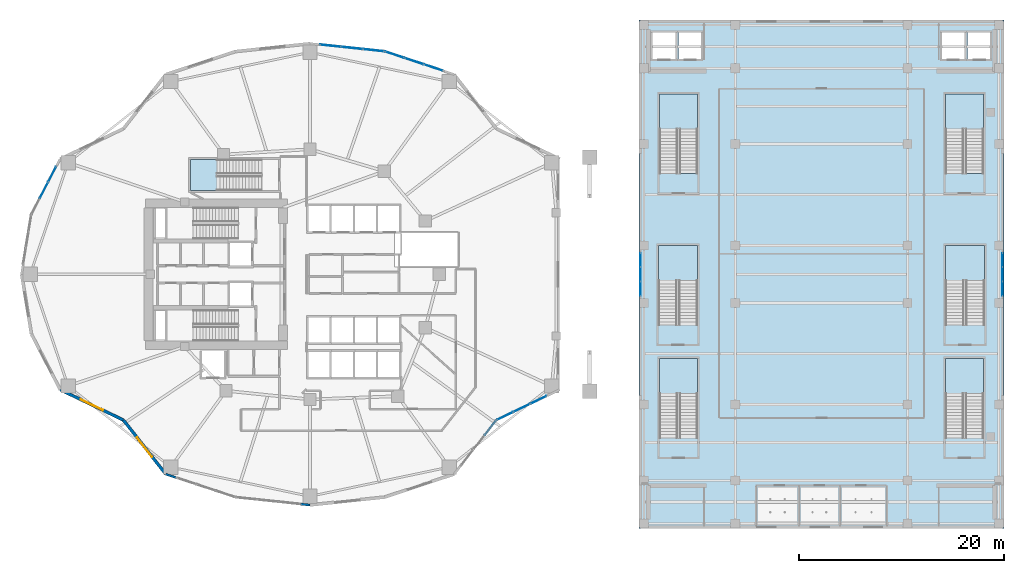
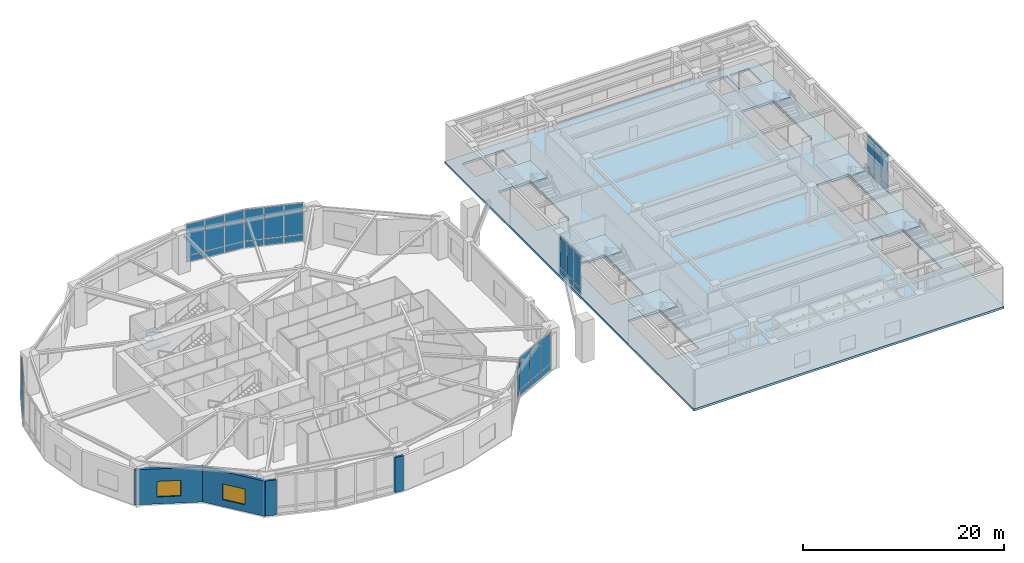
# One storey, part 10 of 21: 35 plates, 8 slabs, 4 walls, 2 windows, 2 openings, 14 elements without a shape of their own.
"""IFC4 building model written with IfcOpenShell, lengths in metres."""

from ifc_helpers import new_model, si_unit, direction, frame, frame_2d, origin, origin_2d, place, context, subcontext, project, spatial, polyline, rectangle, outline, extrude, material, layer, layer_set, type_object, element, fill, aggregate, save


model = new_model("IFC4")

# Units and contexts
model_context = context("Model", 3, precision=1e-05, world=origin(), true_north=direction((0.0, 1.0)))
body_context = subcontext(model_context, "Body", "Model", "MODEL_VIEW")
ifc_project = project(units=[si_unit("LENGTHUNIT", "METRE"), si_unit("AREAUNIT", "SQUARE_METRE"), si_unit("VOLUMEUNIT", "CUBIC_METRE"), si_unit("PLANEANGLEUNIT", "RADIAN"), si_unit("MASSUNIT", "GRAM", prefix="KILO")], contexts=[model_context])

# Site, building, storey
site_placement = place(None, origin())
site = spatial("IfcSite", under=ifc_project, at=site_placement, CompositionType="ELEMENT")
building_placement = place(site_placement, origin())
building = spatial("IfcBuilding", under=site, at=building_placement, Name="Kolvaren Gate Tower and Convention Centre", CompositionType="ELEMENT")
storey_placement = place(building_placement, frame((0.0, 0.0, 5.0)))
storey = spatial("IfcBuildingStorey", under=building, at=storey_placement, Name="L01", CompositionType="ELEMENT", Elevation=5.0)

# Curtain wall, plates
ifc_material_1 = material(Name="Anodized Architectural Aluminium Alloy 6063-T6", Category="aluminium")
ifc_layer_1 = layer(ifc_material_1, 0.179931640625)
ifc_layer_set_1 = layer_set([ifc_layer_1], Name="Anodized Architectural Aluminium Alloy 6063-T6")
curtain_wall_type_1 = type_object("IfcCurtainWallType", Name="CW-POD-GLZ", PredefinedType="NOTDEFINED", material=ifc_layer_set_1)
curtain_wall_1_placement = place(storey_placement, origin())
curtain_wall_1 = element("IfcCurtainWall", 1, at=curtain_wall_1_placement, inside=storey, type_object=curtain_wall_type_1, Name="Tower L01 Unitised Curtain Wall CW-POD-GLZ Bay 04", PredefinedType="NOTDEFINED")
ifc_material_2 = material(Name="Low-E Triple Insulated Glazing Unit 44 mm", Category="glass")
ifc_layer_2 = layer(ifc_material_2, 0.0439453125)
ifc_layer_set_2 = layer_set([ifc_layer_2], Name="Low-E Triple Insulated Glazing Unit 44 mm")
plate_type_1 = type_object("IfcPlateType", Name="CW-PL-IGU-44", PredefinedType="CURTAIN_PANEL", material=ifc_layer_set_2)
plate_1_placement = place(storey_placement, frame((38.37939453125, 48.41015625, 0.8876953125), z_axis=(0.0, 0.0, 1.0), x_axis=(0.949243688479, -0.314541602786, 0.0)))
plate_1 = element("IfcPlate", 2, at=plate_1_placement, type_object=plate_type_1, Name="CW-01 panel 1.2", PredefinedType="CURTAIN_PANEL", context=body_context, shape_type="SweptSolid", body=[
    extrude(rectangle(XDim=1.904541015625, YDim=0.0439453125, at=origin_2d()), origin(), (0.0, 0.0, 1.0), 3.777587890625),
])
plate_2_placement = place(storey_placement, frame((40.2763671875, 47.78173828125, 0.8876953125), z_axis=(0.0, 0.0, 1.0), x_axis=(0.949243688479, -0.314541602786, 0.0)))
plate_2 = element("IfcPlate", 3, at=plate_2_placement, type_object=plate_type_1, Name="CW-01 panel 2.2", PredefinedType="CURTAIN_PANEL", context=body_context, shape_type="SweptSolid", body=[
    extrude(rectangle(XDim=1.94189453125, YDim=0.0439453125, at=origin_2d()), origin(), (0.0, 0.0, 1.0), 3.777587890625),
])
plate_3_placement = place(storey_placement, frame((42.173095703125, 47.153076171875, 0.8876953125), z_axis=(0.0, 0.0, 1.0), x_axis=(0.949243688479, -0.314541602786, 0.0)))
plate_3 = element("IfcPlate", 4, at=plate_3_placement, type_object=plate_type_1, Name="CW-01 panel 3.2", PredefinedType="CURTAIN_PANEL", context=body_context, shape_type="SweptSolid", body=[
    extrude(rectangle(XDim=1.904541015625, YDim=0.0439453125, at=origin_2d()), origin(), (0.0, 0.0, 1.0), 3.777587890625),
])

curtain_wall_2_placement = place(storey_placement, origin())
curtain_wall_2 = element("IfcCurtainWall", 5, at=curtain_wall_2_placement, inside=storey, type_object=curtain_wall_type_1, Name="Tower L01 Unitised Curtain Wall CW-POD-GLZ Bay 05", PredefinedType="NOTDEFINED")
plate_4_placement = place(storey_placement, frame((32.126708984375, 49.2890625, 0.8876953125), z_axis=(0.0, 0.0, 1.0), x_axis=(0.994498762941, -0.104748319841, 0.0)))
plate_4 = element("IfcPlate", 6, at=plate_4_placement, type_object=plate_type_1, Name="CW-01 panel 1.2", PredefinedType="CURTAIN_PANEL", context=body_context, shape_type="SweptSolid", body=[
    extrude(rectangle(XDim=2.017578125, YDim=0.0439453125, at=origin_2d()), origin(), (0.0, 0.0, 1.0), 3.777587890625),
])
plate_5_placement = place(storey_placement, frame((34.2265625, 49.068115234375, 0.8876953125), z_axis=(0.0, 0.0, 1.0), x_axis=(0.994498762941, -0.104748319841, 0.0)))
plate_5 = element("IfcPlate", 7, at=plate_5_placement, type_object=plate_type_1, Name="CW-01 panel 2.2", PredefinedType="CURTAIN_PANEL", context=body_context, shape_type="SweptSolid", body=[
    extrude(rectangle(XDim=2.05517578125, YDim=0.0439453125, at=origin_2d()), origin(), (0.0, 0.0, 1.0), 3.777587890625),
])
plate_6_placement = place(storey_placement, frame((36.326416015625, 48.846923828125, 0.8876953125), z_axis=(0.0, 0.0, 1.0), x_axis=(0.994498762941, -0.104748319841, 0.0)))
plate_6 = element("IfcPlate", 8, at=plate_6_placement, type_object=plate_type_1, Name="CW-01 panel 3.2", PredefinedType="CURTAIN_PANEL", context=body_context, shape_type="SweptSolid", body=[
    extrude(rectangle(XDim=2.017578125, YDim=0.0439453125, at=origin_2d()), origin(), (0.0, 0.0, 1.0), 3.777587890625),
])

curtain_wall_3_placement = place(storey_placement, origin())
curtain_wall_3 = element("IfcCurtainWall", 9, at=curtain_wall_3_placement, inside=storey, type_object=curtain_wall_type_1, Name="Tower L01 Unitised Curtain Wall CW-POD-GLZ Bay 10", PredefinedType="NOTDEFINED")
plate_7_placement = place(storey_placement, frame((4.1787109375, 35.1806640625, 0.8876953125), z_axis=(0.0, 0.0, 1.0), x_axis=(0.459789264949, 0.888028058024, 0.0)))
plate_7 = element("IfcPlate", 10, at=plate_7_placement, type_object=plate_type_1, Name="CW-01 panel 2.2", PredefinedType="CURTAIN_PANEL", context=body_context, shape_type="SweptSolid", body=[
    extrude(rectangle(XDim=1.694580078125, YDim=0.0439453125, at=origin_2d()), origin(), (0.0, 0.0, 1.0), 3.777587890625),
])
plate_8_placement = place(storey_placement, frame((4.98388671875, 36.735595703125, 0.8876953125), z_axis=(0.0, 0.0, 1.0), x_axis=(0.459789264949, 0.888028058024, 0.0)))
plate_8 = element("IfcPlate", 11, at=plate_8_placement, type_object=plate_type_1, Name="CW-01 panel 3.2", PredefinedType="CURTAIN_PANEL", context=body_context, shape_type="SweptSolid", body=[
    extrude(rectangle(XDim=1.6572265625, YDim=0.0439453125, at=origin_2d()), origin(), (0.0, 0.0, 1.0), 3.777587890625),
])

# Curtain wall, plate
curtain_wall_4_placement = place(storey_placement, origin())
curtain_wall_4 = element("IfcCurtainWall", 12, at=curtain_wall_4_placement, inside=storey, type_object=curtain_wall_type_1, Name="Tower L01 Unitised Curtain Wall CW-POD-GLZ Bay 20", PredefinedType="NOTDEFINED")
plate_9_placement = place(storey_placement, frame((47.726318359375, 12.034912109375, 0.8876953125), z_axis=(0.0, 0.0, 1.0), x_axis=(0.616425794643, 0.787413004527, 0.0)))
plate_9 = element("IfcPlate", 13, at=plate_9_placement, type_object=plate_type_1, Name="CW-01 panel 3.2", PredefinedType="CURTAIN_PANEL", context=body_context, shape_type="SweptSolid", body=[
    extrude(rectangle(XDim=1.760986328125, YDim=0.0439453125, at=origin_2d()), origin(), (0.0, 0.0, 1.0), 3.777587890625),
])
aggregate(curtain_wall_4, [plate_9])

# Curtain wall, plates
curtain_wall_5_placement = place(storey_placement, origin())
curtain_wall_5 = element("IfcCurtainWall", 14, at=curtain_wall_5_placement, inside=storey, type_object=curtain_wall_type_1, Name="Tower L01 Unitised Curtain Wall CW-POD-GLZ Bay 21", PredefinedType="NOTDEFINED")
plate_10_placement = place(storey_placement, frame((49.15234375, 13.189453125, 0.8876953125), z_axis=(0.0, 0.0, 1.0), x_axis=(0.90136380435, 0.433062688542, 0.0)))
plate_10 = element("IfcPlate", 15, at=plate_10_placement, type_object=plate_type_1, Name="CW-01 panel 1.2", PredefinedType="CURTAIN_PANEL", context=body_context, shape_type="SweptSolid", body=[
    extrude(rectangle(XDim=1.70751953125, YDim=0.0439453125, at=origin_2d()), origin(), (0.0, 0.0, 1.0), 3.777587890625),
])
plate_11_placement = place(storey_placement, frame((50.77587890625, 13.969482421875, 0.8876953125), z_axis=(0.0, 0.0, 1.0), x_axis=(0.90136380435, 0.433062688542, 0.0)))
plate_11 = element("IfcPlate", 16, at=plate_11_placement, type_object=plate_type_1, Name="CW-01 panel 2.2", PredefinedType="CURTAIN_PANEL", context=body_context, shape_type="SweptSolid", body=[
    extrude(rectangle(XDim=1.744873046875, YDim=0.0439453125, at=origin_2d()), origin(), (0.0, 0.0, 1.0), 3.777587890625),
])
plate_12_placement = place(storey_placement, frame((52.399658203125, 14.74951171875, 0.8876953125), z_axis=(0.0, 0.0, 1.0), x_axis=(0.90136380435, 0.433062688542, 0.0)))
plate_12 = element("IfcPlate", 17, at=plate_12_placement, type_object=plate_type_1, Name="CW-01 panel 3.2", PredefinedType="CURTAIN_PANEL", context=body_context, shape_type="SweptSolid", body=[
    extrude(rectangle(XDim=1.70751953125, YDim=0.0439453125, at=origin_2d()), origin(), (0.0, 0.0, 1.0), 3.777587890625),
])

ifc_layer_3 = layer(ifc_material_1, 0.179931640625)
ifc_layer_set_3 = layer_set([ifc_layer_3], Name="Anodized Architectural Aluminium Alloy 6063-T6")
curtain_wall_type_2 = type_object("IfcCurtainWallType", Name="CW-CONV-GLZ", PredefinedType="NOTDEFINED", material=ifc_layer_set_3)
curtain_wall_6_placement = place(storey_placement, origin())
curtain_wall_6 = element("IfcCurtainWall", 18, at=curtain_wall_6_placement, inside=storey, type_object=curtain_wall_type_2, Name="Convention L01 E Foyer Curtain Wall CW-CC-L01-E", PredefinedType="NOTDEFINED")
plate_13_placement = place(storey_placement, frame((97.64990234375, 25.589599609375, 0.882568359375), z_axis=(0.0, 0.0, 1.0), x_axis=(0.0, 1.0, 0.0)))
plate_13 = element("IfcPlate", 19, at=plate_13_placement, type_object=plate_type_1, Name="CW-06 panel 1.2", PredefinedType="CURTAIN_PANEL", context=body_context, shape_type="SweptSolid", body=[
    extrude(rectangle(XDim=1.3291015625, YDim=0.0439453125, at=origin_2d()), origin(), (0.0, 0.0, 1.0), 3.79248046875),
])
plate_14_placement = place(storey_placement, frame((97.64990234375, 27.0, 0.882568359375), z_axis=(0.0, 0.0, 1.0), x_axis=(0.0, 1.0, 0.0)))
plate_14 = element("IfcPlate", 20, at=plate_14_placement, type_object=plate_type_1, Name="CW-06 panel 2.2", PredefinedType="CURTAIN_PANEL", context=body_context, shape_type="SweptSolid", body=[
    extrude(rectangle(XDim=1.361572265625, YDim=0.0439453125, at=origin_2d()), origin(), (0.0, 0.0, 1.0), 3.79248046875),
])
plate_15_placement = place(storey_placement, frame((97.64990234375, 28.410400390625, 0.882568359375), z_axis=(0.0, 0.0, 1.0), x_axis=(0.0, 1.0, 0.0)))
plate_15 = element("IfcPlate", 21, at=plate_15_placement, type_object=plate_type_1, Name="CW-06 panel 3.2", PredefinedType="CURTAIN_PANEL", context=body_context, shape_type="SweptSolid", body=[
    extrude(rectangle(XDim=1.3291015625, YDim=0.0439453125, at=origin_2d()), origin(), (0.0, 0.0, 1.0), 3.79248046875),
])

curtain_wall_7_placement = place(storey_placement, origin())
curtain_wall_7 = element("IfcCurtainWall", 22, at=curtain_wall_7_placement, inside=storey, type_object=curtain_wall_type_2, Name="Convention L01 W Foyer Curtain Wall CW-CC-L01-W", PredefinedType="NOTDEFINED")
plate_16_placement = place(storey_placement, frame((62.35009765625, 25.589599609375, 0.882568359375), z_axis=(0.0, 0.0, 1.0), x_axis=(0.0, 1.0, 0.0)))
plate_16 = element("IfcPlate", 23, at=plate_16_placement, type_object=plate_type_1, Name="CW-06 panel 1.2", PredefinedType="CURTAIN_PANEL", context=body_context, shape_type="SweptSolid", body=[
    extrude(rectangle(XDim=1.3291015625, YDim=0.0439453125, at=origin_2d()), origin(), (0.0, 0.0, 1.0), 3.79248046875),
])
plate_17_placement = place(storey_placement, frame((62.35009765625, 27.0, 0.882568359375), z_axis=(0.0, 0.0, 1.0), x_axis=(0.0, 1.0, 0.0)))
plate_17 = element("IfcPlate", 24, at=plate_17_placement, type_object=plate_type_1, Name="CW-06 panel 2.2", PredefinedType="CURTAIN_PANEL", context=body_context, shape_type="SweptSolid", body=[
    extrude(rectangle(XDim=1.361572265625, YDim=0.0439453125, at=origin_2d()), origin(), (0.0, 0.0, 1.0), 3.79248046875),
])
plate_18_placement = place(storey_placement, frame((62.35009765625, 28.410400390625, 0.882568359375), z_axis=(0.0, 0.0, 1.0), x_axis=(0.0, 1.0, 0.0)))
plate_18 = element("IfcPlate", 25, at=plate_18_placement, type_object=plate_type_1, Name="CW-06 panel 3.2", PredefinedType="CURTAIN_PANEL", context=body_context, shape_type="SweptSolid", body=[
    extrude(rectangle(XDim=1.3291015625, YDim=0.0439453125, at=origin_2d()), origin(), (0.0, 0.0, 1.0), 3.79248046875),
])

# Plate
ifc_material_3 = material(Name="Solar-Control Laminated Curtain Glazing 36 mm", Category="glass")
ifc_layer_4 = layer(ifc_material_3, 0.035888671875)
ifc_layer_set_4 = layer_set([ifc_layer_4], Name="Solar-Control Laminated Curtain Glazing 36 mm")
plate_type_2 = type_object("IfcPlateType", Name="CW-PL-SPAN-36", PredefinedType="CURTAIN_PANEL", material=ifc_layer_set_4)
plate_19_placement = place(storey_placement, frame((38.37939453125, 48.41015625, 0.0751953125), z_axis=(0.0, 0.0, 1.0), x_axis=(0.949243688479, -0.314541602786, 0.0)))
plate_19 = element("IfcPlate", 26, at=plate_19_placement, type_object=plate_type_2, Name="CW-01 panel 1.1", PredefinedType="CURTAIN_PANEL", context=body_context, shape_type="SweptSolid", body=[
    extrude(rectangle(XDim=1.904541015625, YDim=0.035888671875, at=origin_2d()), origin(), (0.0, 0.0, 1.0), 0.737548828125),
])

plate_20_placement = place(storey_placement, frame((40.2763671875, 47.78173828125, 0.0751953125), z_axis=(0.0, 0.0, 1.0), x_axis=(0.949243688479, -0.314541602786, 0.0)))
plate_20 = element("IfcPlate", 27, at=plate_20_placement, type_object=plate_type_2, Name="CW-01 panel 2.1", PredefinedType="CURTAIN_PANEL", context=body_context, shape_type="SweptSolid", body=[
    extrude(rectangle(XDim=1.94189453125, YDim=0.035888671875, at=origin_2d()), origin(), (0.0, 0.0, 1.0), 0.737548828125),
])

plate_21_placement = place(storey_placement, frame((42.173095703125, 47.153076171875, 0.0751953125), z_axis=(0.0, 0.0, 1.0), x_axis=(0.949243688479, -0.314541602786, 0.0)))
plate_21 = element("IfcPlate", 28, at=plate_21_placement, type_object=plate_type_2, Name="CW-01 panel 3.1", PredefinedType="CURTAIN_PANEL", context=body_context, shape_type="SweptSolid", body=[
    extrude(rectangle(XDim=1.904541015625, YDim=0.035888671875, at=origin_2d()), origin(), (0.0, 0.0, 1.0), 0.737548828125),
])

aggregate(curtain_wall_1, [plate_19, plate_1, plate_20, plate_2, plate_21, plate_3])

plate_22_placement = place(storey_placement, frame((32.126708984375, 49.2890625, 0.0751953125), z_axis=(0.0, 0.0, 1.0), x_axis=(0.994498762941, -0.104748319841, 0.0)))
plate_22 = element("IfcPlate", 29, at=plate_22_placement, type_object=plate_type_2, Name="CW-01 panel 1.1", PredefinedType="CURTAIN_PANEL", context=body_context, shape_type="SweptSolid", body=[
    extrude(rectangle(XDim=2.017578125, YDim=0.035888671875, at=origin_2d()), origin(), (0.0, 0.0, 1.0), 0.737548828125),
])

plate_23_placement = place(storey_placement, frame((34.2265625, 49.068115234375, 0.0751953125), z_axis=(0.0, 0.0, 1.0), x_axis=(0.994498762941, -0.104748319841, 0.0)))
plate_23 = element("IfcPlate", 30, at=plate_23_placement, type_object=plate_type_2, Name="CW-01 panel 2.1", PredefinedType="CURTAIN_PANEL", context=body_context, shape_type="SweptSolid", body=[
    extrude(rectangle(XDim=2.05517578125, YDim=0.035888671875, at=origin_2d()), origin(), (0.0, 0.0, 1.0), 0.737548828125),
])

plate_24_placement = place(storey_placement, frame((36.326416015625, 48.846923828125, 0.0751953125), z_axis=(0.0, 0.0, 1.0), x_axis=(0.994498762941, -0.104748319841, 0.0)))
plate_24 = element("IfcPlate", 31, at=plate_24_placement, type_object=plate_type_2, Name="CW-01 panel 3.1", PredefinedType="CURTAIN_PANEL", context=body_context, shape_type="SweptSolid", body=[
    extrude(rectangle(XDim=2.017578125, YDim=0.035888671875, at=origin_2d()), origin(), (0.0, 0.0, 1.0), 0.737548828125),
])

aggregate(curtain_wall_2, [plate_22, plate_4, plate_23, plate_5, plate_24, plate_6])

plate_25_placement = place(storey_placement, frame((4.1787109375, 35.1806640625, 0.0751953125), z_axis=(0.0, 0.0, 1.0), x_axis=(0.459789264949, 0.888028058024, 0.0)))
plate_25 = element("IfcPlate", 32, at=plate_25_placement, type_object=plate_type_2, Name="CW-01 panel 2.1", PredefinedType="CURTAIN_PANEL", context=body_context, shape_type="SweptSolid", body=[
    extrude(rectangle(XDim=1.694580078125, YDim=0.035888671875, at=origin_2d()), origin(), (0.0, 0.0, 1.0), 0.737548828125),
])

plate_26_placement = place(storey_placement, frame((4.98388671875, 36.735595703125, 0.0751953125), z_axis=(0.0, 0.0, 1.0), x_axis=(0.459789264949, 0.888028058024, 0.0)))
plate_26 = element("IfcPlate", 33, at=plate_26_placement, type_object=plate_type_2, Name="CW-01 panel 3.1", PredefinedType="CURTAIN_PANEL", context=body_context, shape_type="SweptSolid", body=[
    extrude(rectangle(XDim=1.6572265625, YDim=0.035888671875, at=origin_2d()), origin(), (0.0, 0.0, 1.0), 0.737548828125),
])

aggregate(curtain_wall_3, [plate_25, plate_7, plate_26, plate_8])

plate_27_placement = place(storey_placement, frame((49.15234375, 13.189453125, 0.0751953125), z_axis=(0.0, 0.0, 1.0), x_axis=(0.90136380435, 0.433062688542, 0.0)))
plate_27 = element("IfcPlate", 34, at=plate_27_placement, type_object=plate_type_2, Name="CW-01 panel 1.1", PredefinedType="CURTAIN_PANEL", context=body_context, shape_type="SweptSolid", body=[
    extrude(rectangle(XDim=1.70751953125, YDim=0.035888671875, at=origin_2d()), origin(), (0.0, 0.0, 1.0), 0.737548828125),
])

plate_28_placement = place(storey_placement, frame((50.77587890625, 13.969482421875, 0.0751953125), z_axis=(0.0, 0.0, 1.0), x_axis=(0.90136380435, 0.433062688542, 0.0)))
plate_28 = element("IfcPlate", 35, at=plate_28_placement, type_object=plate_type_2, Name="CW-01 panel 2.1", PredefinedType="CURTAIN_PANEL", context=body_context, shape_type="SweptSolid", body=[
    extrude(rectangle(XDim=1.744873046875, YDim=0.035888671875, at=origin_2d()), origin(), (0.0, 0.0, 1.0), 0.737548828125),
])

plate_29_placement = place(storey_placement, frame((52.399658203125, 14.74951171875, 0.0751953125), z_axis=(0.0, 0.0, 1.0), x_axis=(0.90136380435, 0.433062688542, 0.0)))
plate_29 = element("IfcPlate", 36, at=plate_29_placement, type_object=plate_type_2, Name="CW-01 panel 3.1", PredefinedType="CURTAIN_PANEL", context=body_context, shape_type="SweptSolid", body=[
    extrude(rectangle(XDim=1.70751953125, YDim=0.035888671875, at=origin_2d()), origin(), (0.0, 0.0, 1.0), 0.737548828125),
])

aggregate(curtain_wall_5, [plate_27, plate_10, plate_28, plate_11, plate_29, plate_12])

plate_30_placement = place(storey_placement, frame((97.64990234375, 25.589599609375, 0.06494140625), z_axis=(0.0, 0.0, 1.0), x_axis=(0.0, 1.0, 0.0)))
plate_30 = element("IfcPlate", 37, at=plate_30_placement, type_object=plate_type_2, Name="CW-06 panel 1.1", PredefinedType="CURTAIN_PANEL", context=body_context, shape_type="SweptSolid", body=[
    extrude(rectangle(XDim=1.3291015625, YDim=0.035888671875, at=origin_2d()), origin(), (0.0, 0.0, 1.0), 0.75244140625),
])

plate_31_placement = place(storey_placement, frame((97.64990234375, 27.0, 0.06494140625), z_axis=(0.0, 0.0, 1.0), x_axis=(0.0, 1.0, 0.0)))
plate_31 = element("IfcPlate", 38, at=plate_31_placement, type_object=plate_type_2, Name="CW-06 panel 2.1", PredefinedType="CURTAIN_PANEL", context=body_context, shape_type="SweptSolid", body=[
    extrude(rectangle(XDim=1.361572265625, YDim=0.035888671875, at=origin_2d()), origin(), (0.0, 0.0, 1.0), 0.75244140625),
])

plate_32_placement = place(storey_placement, frame((97.64990234375, 28.410400390625, 0.06494140625), z_axis=(0.0, 0.0, 1.0), x_axis=(0.0, 1.0, 0.0)))
plate_32 = element("IfcPlate", 39, at=plate_32_placement, type_object=plate_type_2, Name="CW-06 panel 3.1", PredefinedType="CURTAIN_PANEL", context=body_context, shape_type="SweptSolid", body=[
    extrude(rectangle(XDim=1.3291015625, YDim=0.035888671875, at=origin_2d()), origin(), (0.0, 0.0, 1.0), 0.75244140625),
])

aggregate(curtain_wall_6, [plate_30, plate_13, plate_31, plate_14, plate_32, plate_15])

plate_33_placement = place(storey_placement, frame((62.35009765625, 25.589599609375, 0.06494140625), z_axis=(0.0, 0.0, 1.0), x_axis=(0.0, 1.0, 0.0)))
plate_33 = element("IfcPlate", 40, at=plate_33_placement, type_object=plate_type_2, Name="CW-06 panel 1.1", PredefinedType="CURTAIN_PANEL", context=body_context, shape_type="SweptSolid", body=[
    extrude(rectangle(XDim=1.3291015625, YDim=0.035888671875, at=origin_2d()), origin(), (0.0, 0.0, 1.0), 0.75244140625),
])

plate_34_placement = place(storey_placement, frame((62.35009765625, 27.0, 0.06494140625), z_axis=(0.0, 0.0, 1.0), x_axis=(0.0, 1.0, 0.0)))
plate_34 = element("IfcPlate", 41, at=plate_34_placement, type_object=plate_type_2, Name="CW-06 panel 2.1", PredefinedType="CURTAIN_PANEL", context=body_context, shape_type="SweptSolid", body=[
    extrude(rectangle(XDim=1.361572265625, YDim=0.035888671875, at=origin_2d()), origin(), (0.0, 0.0, 1.0), 0.75244140625),
])

plate_35_placement = place(storey_placement, frame((62.35009765625, 28.410400390625, 0.06494140625), z_axis=(0.0, 0.0, 1.0), x_axis=(0.0, 1.0, 0.0)))
plate_35 = element("IfcPlate", 42, at=plate_35_placement, type_object=plate_type_2, Name="CW-06 panel 3.1", PredefinedType="CURTAIN_PANEL", context=body_context, shape_type="SweptSolid", body=[
    extrude(rectangle(XDim=1.3291015625, YDim=0.035888671875, at=origin_2d()), origin(), (0.0, 0.0, 1.0), 0.75244140625),
])

aggregate(curtain_wall_7, [plate_33, plate_16, plate_34, plate_17, plate_35, plate_18])

# Slab
ifc_material_4 = material(Name="Concrete C40/50", Category="concrete")
ifc_layer_5 = layer(ifc_material_4, 0.260009765625)
ifc_layer_set_5 = layer_set([ifc_layer_5], Name="Concrete C40/50")
slab_type_1 = type_object("IfcSlabType", Name="STR-SL-FLR-260", PredefinedType="FLOOR", material=ifc_layer_set_5)
slab_1_placement = place(storey_placement, frame((0.0, 0.0, -0.260009765625)))
element("IfcSlab", 43, at=slab_1_placement, inside=storey, type_object=slab_type_1, Name="Convention Centre L01 Structural Floor Slab", PredefinedType="FLOOR", context=body_context, shape_type="SweptSolid", body=[
    extrude(outline(polyline([(62.199951171875, 2.199951171875), (97.800048828125, 2.199951171875), (97.800048828125, 51.800048828125), (62.199951171875, 51.800048828125), (62.199951171875, 2.199951171875)]), holes=[polyline([(94.25, 48.0), (94.25, 50.60009765625), (96.449951171875, 50.60009765625), (96.449951171875, 48.0), (94.25, 48.0)]), polyline([(95.89990234375, 22.050048828125), (92.10009765625, 22.050048828125), (92.10009765625, 29.800048828125), (95.89990234375, 29.800048828125), (95.89990234375, 22.050048828125)]), polyline([(95.800048828125, 18.800048828125), (95.800048828125, 11.050048828125), (92.10009765625, 11.050048828125), (92.10009765625, 18.800048828125), (95.800048828125, 18.800048828125)]), polyline([(95.800048828125, 44.60009765625), (95.800048828125, 36.85009765625), (92.10009765625, 36.85009765625), (92.10009765625, 44.60009765625), (95.800048828125, 44.60009765625)]), polyline([(91.75, 48.0), (91.75, 50.60009765625), (93.949951171875, 50.60009765625), (93.949951171875, 48.0), (91.75, 48.0)]), polyline([(68.25, 48.0), (66.050048828125, 48.0), (66.050048828125, 50.60009765625), (68.25, 50.60009765625), (68.25, 48.0)]), polyline([(67.89990234375, 18.800048828125), (67.89990234375, 11.050048828125), (64.199951171875, 11.050048828125), (64.199951171875, 18.800048828125), (67.89990234375, 18.800048828125)]), polyline([(67.89990234375, 29.800048828125), (67.89990234375, 22.050048828125), (64.10009765625, 22.050048828125), (64.10009765625, 29.800048828125), (67.89990234375, 29.800048828125)]), polyline([(67.89990234375, 36.85009765625), (64.199951171875, 36.85009765625), (64.199951171875, 44.60009765625), (67.89990234375, 44.60009765625), (67.89990234375, 36.85009765625)]), polyline([(65.75, 48.0), (63.550048828125, 48.0), (63.550048828125, 50.60009765625), (65.75, 50.60009765625), (65.75, 48.0)])]), origin(), (0.0, 0.0, 1.0), 0.260009765625),
])

# Stair, slab
ifc_material_5 = material(Name="Concrete C50/60", Category="concrete")
stair_type_1 = type_object("IfcStairType", Name="STR-STAIR-CORE", PredefinedType="HALF_TURN_STAIR", material=ifc_material_5)
stair_1_placement = place(storey_placement, origin())
stair_1 = element("IfcStair", 44, at=stair_1_placement, inside=storey, type_object=stair_type_1, Name="L01 Tower Mid-Zone Exit Stair ST-T3", PredefinedType="HALF_TURN_STAIR")
ifc_layer_6 = layer(ifc_material_5, 0.199951171875)
ifc_layer_set_6 = layer_set([ifc_layer_6], Name="Concrete C50/60")
slab_type_2 = type_object("IfcSlabType", Name="STR-SL-LAND-200", PredefinedType="LANDING", material=ifc_layer_set_6)
slab_2_placement = place(storey_placement, frame((0.0, 0.0, 2.300048828125)))
slab_2 = element("IfcSlab", 45, at=slab_2_placement, type_object=slab_type_2, Name="ST-T3 landing 1", PredefinedType="LANDING", context=body_context, shape_type="SweptSolid", body=[
    extrude(outline(polyline([(21.06005859375, 38.199951171875), (18.5, 38.199951171875), (18.5, 35.159912109375), (21.06005859375, 35.159912109375), (21.06005859375, 38.199951171875)])), origin(), (0.0, 0.0, 1.0), 0.199951171875),
])
aggregate(stair_1, [slab_2])

stair_type_2 = type_object("IfcStairType", Name="STR-STAIR-CONV", PredefinedType="HALF_TURN_STAIR", material=ifc_material_5)
stair_2_placement = place(storey_placement, origin())
stair_2 = element("IfcStair", 46, at=stair_2_placement, inside=storey, type_object=stair_type_2, Name="L01 Convention NW Exit Stair ST-C1", PredefinedType="HALF_TURN_STAIR")
slab_3_placement = place(storey_placement, frame((0.0, 0.0, 2.300048828125)))
slab_3 = element("IfcSlab", 47, at=slab_3_placement, type_object=slab_type_2, Name="ST-C1 landing 1", PredefinedType="LANDING", context=body_context, shape_type="SweptSolid", body=[
    extrude(outline(polyline([(67.89990234375, 41.18994140625), (67.89990234375, 44.60009765625), (64.199951171875, 44.60009765625), (64.199951171875, 41.18994140625), (67.89990234375, 41.18994140625)])), origin(), (0.0, 0.0, 1.0), 0.199951171875),
])
aggregate(stair_2, [slab_3])

stair_3_placement = place(storey_placement, origin())
stair_3 = element("IfcStair", 48, at=stair_3_placement, inside=storey, type_object=stair_type_2, Name="L01 Convention SW Exit Stair ST-C2", PredefinedType="HALF_TURN_STAIR")
slab_4_placement = place(storey_placement, frame((0.0, 0.0, 2.300048828125)))
slab_4 = element("IfcSlab", 49, at=slab_4_placement, type_object=slab_type_2, Name="ST-C2 landing 1", PredefinedType="LANDING", context=body_context, shape_type="SweptSolid", body=[
    extrude(outline(polyline([(67.89990234375, 15.389892578125), (67.89990234375, 18.800048828125), (64.199951171875, 18.800048828125), (64.199951171875, 15.389892578125), (67.89990234375, 15.389892578125)])), origin(), (0.0, 0.0, 1.0), 0.199951171875),
])
aggregate(stair_3, [slab_4])

stair_4_placement = place(storey_placement, origin())
stair_4 = element("IfcStair", 50, at=stair_4_placement, inside=storey, type_object=stair_type_2, Name="L01 Convention NE Exit Stair ST-C3", PredefinedType="HALF_TURN_STAIR")
slab_5_placement = place(storey_placement, frame((0.0, 0.0, 2.300048828125)))
slab_5 = element("IfcSlab", 51, at=slab_5_placement, type_object=slab_type_2, Name="ST-C3 landing 1", PredefinedType="LANDING", context=body_context, shape_type="SweptSolid", body=[
    extrude(outline(polyline([(95.800048828125, 41.18994140625), (95.800048828125, 44.60009765625), (92.10009765625, 44.60009765625), (92.10009765625, 41.18994140625), (95.800048828125, 41.18994140625)])), origin(), (0.0, 0.0, 1.0), 0.199951171875),
])
aggregate(stair_4, [slab_5])

stair_5_placement = place(storey_placement, origin())
stair_5 = element("IfcStair", 52, at=stair_5_placement, inside=storey, type_object=stair_type_2, Name="L01 Convention SE Exit Stair ST-C4", PredefinedType="HALF_TURN_STAIR")
slab_6_placement = place(storey_placement, frame((0.0, 0.0, 2.300048828125)))
slab_6 = element("IfcSlab", 53, at=slab_6_placement, type_object=slab_type_2, Name="ST-C4 landing 1", PredefinedType="LANDING", context=body_context, shape_type="SweptSolid", body=[
    extrude(outline(polyline([(95.800048828125, 15.389892578125), (95.800048828125, 18.800048828125), (92.10009765625, 18.800048828125), (92.10009765625, 15.389892578125), (95.800048828125, 15.389892578125)])), origin(), (0.0, 0.0, 1.0), 0.199951171875),
])
aggregate(stair_5, [slab_6])

stair_6_placement = place(storey_placement, origin())
stair_6 = element("IfcStair", 54, at=stair_6_placement, inside=storey, type_object=stair_type_2, Name="L01 Convention West Assembly Stair ST-C5", PredefinedType="HALF_TURN_STAIR")
slab_7_placement = place(storey_placement, frame((0.0, 0.0, 2.300048828125)))
slab_7 = element("IfcSlab", 55, at=slab_7_placement, type_object=slab_type_2, Name="ST-C5 landing 1", PredefinedType="LANDING", context=body_context, shape_type="SweptSolid", body=[
    extrude(outline(polyline([(67.89990234375, 26.389892578125), (67.89990234375, 29.800048828125), (64.10009765625, 29.800048828125), (64.10009765625, 26.389892578125), (67.89990234375, 26.389892578125)])), origin(), (0.0, 0.0, 1.0), 0.199951171875),
])
aggregate(stair_6, [slab_7])

stair_7_placement = place(storey_placement, origin())
stair_7 = element("IfcStair", 56, at=stair_7_placement, inside=storey, type_object=stair_type_2, Name="L01 Convention East Assembly Stair ST-C6", PredefinedType="HALF_TURN_STAIR")
slab_8_placement = place(storey_placement, frame((0.0, 0.0, 2.300048828125)))
slab_8 = element("IfcSlab", 57, at=slab_8_placement, type_object=slab_type_2, Name="ST-C6 landing 1", PredefinedType="LANDING", context=body_context, shape_type="SweptSolid", body=[
    extrude(outline(polyline([(95.89990234375, 26.389892578125), (95.89990234375, 29.800048828125), (92.10009765625, 29.800048828125), (92.10009765625, 26.389892578125), (95.89990234375, 26.389892578125)])), origin(), (0.0, 0.0, 1.0), 0.199951171875),
])
aggregate(stair_7, [slab_8])

# Walls
ifc_material_6 = material(Name="Bogota Sabana Bush-Hammered Sandstone Cladding", Category="masonry")
ifc_layer_7 = layer(ifc_material_6, 0.219970703125)
ifc_layer_set_7 = layer_set([ifc_layer_7], Name="Bogota Sabana Bush-Hammered Sandstone Cladding")
wall_type_1 = type_object("IfcWallType", Name="ARCH-WL-PIER-220", PredefinedType="SOLIDWALL", material=ifc_layer_set_7)
wall_1_placement = place(storey_placement, frame((16.0625, 7.514404296875, 0.0), z_axis=(0.0, 0.0, 1.0), x_axis=(0.949217086672, -0.314621872045, 0.0)))
element("IfcWall", 58, at=wall_1_placement, inside=storey, type_object=wall_type_1, Name="Tower L01 Unitised Curtain Wall CW-POD-GLZ Bay 16 Left Column Pier Wrap", PredefinedType="SOLIDWALL", context=body_context, shape_type="SweptSolid", body=[
    extrude(rectangle(XDim=1.094970703125, YDim=0.219970703125, at=frame_2d((0.54736328125, 0.0))), origin(), (0.0, 0.0, 1.0), 4.262939453125),
])
wall_2_placement = place(storey_placement, frame((29.201416015625, 4.597412109375, 0.0), z_axis=(0.0, 0.0, 1.0), x_axis=(0.994483824972, -0.104890046567, 0.0)))
element("IfcWall", 59, at=wall_2_placement, inside=storey, type_object=wall_type_1, Name="Tower L01 Unitised Curtain Wall CW-POD-GLZ Bay 17 Right Column Pier Wrap", PredefinedType="SOLIDWALL", context=body_context, shape_type="SweptSolid", body=[
    extrude(rectangle(XDim=0.9287109375, YDim=0.219970703125, at=frame_2d((0.46435546875, 0.0))), origin(), (0.0, 0.0, 1.0), 4.262939453125),
])

# Wall, opening, window
ifc_material_7 = material(Name="Piedmont Cream Honed Limestone Cladding", Category="masonry")
ifc_layer_8 = layer(ifc_material_7, 0.300048828125)
ifc_layer_set_8 = layer_set([ifc_layer_8], Name="Piedmont Cream Honed Limestone Cladding")
wall_type_2 = type_object("IfcWallType", Name="ARCH-WL-STONE-300", PredefinedType="SOLIDWALL", material=ifc_layer_set_8)
wall_3_placement = place(storey_placement, frame((5.76806640625, 15.75, 0.0), z_axis=(0.0, 0.0, 1.0), x_axis=(0.901360393999, -0.433069786673, 0.0)))
wall_3 = element("IfcWall", 60, at=wall_3_placement, inside=storey, type_object=wall_type_2, Name="Tower L01 Honed Stone Spandrel Wall EW-14", PredefinedType="SOLIDWALL", context=body_context, shape_type="SweptSolid", body=[
    extrude(rectangle(XDim=6.841552734375, YDim=0.300048828125, at=frame_2d((3.4208984375, 0.0))), origin(), (0.0, 0.0, 1.0), 4.262939453125),
])
opening_1_placement = place(wall_3_placement, frame((2.220947265625, 0.0, 0.85009765625)))
opening_1 = element("IfcOpeningElement", 61, at=opening_1_placement, cuts=wall_3, Name="Opening W-01", PredefinedType="OPENING", context=body_context, shape_type="SweptSolid", body=[
    extrude(rectangle(XDim=2.39990234375, YDim=1.89990234375, at=frame_2d((1.199951171875, 0.949951171875))), frame((0.0, 0.159912109375, 0.0), z_axis=(0.0, -1.0, 0.0), x_axis=(1.0, 0.0, 0.0)), (0.0, 0.0, 1.0), 0.320068359375),
])
window_type = type_object("IfcWindowType", Name="ARCH-WN-OFF-2400", PartitioningType="SINGLE_PANEL", PredefinedType="WINDOW", material=ifc_material_2)
window_1_placement = place(opening_1_placement, origin())
window_1 = element("IfcWindow", 62, at=window_1_placement, inside=storey, type_object=window_type, Name="Tower L01 Punched Stone Facade Window W-14", OverallHeight=1.89990234375, OverallWidth=2.39990234375, PartitioningType="SINGLE_PANEL", PredefinedType="WINDOW", context=body_context, shape_type="SweptSolid", body=[
    extrude(rectangle(XDim=2.39990234375, YDim=1.89990234375, at=frame_2d((1.199951171875, 0.949951171875))), frame((0.0, 0.030029296875, 0.0), z_axis=(0.0, -1.0, 0.0), x_axis=(1.0, 0.0, 0.0)), (0.0, 0.0, 1.0), 0.06005859375),
])
fill(opening_1, window_1)

wall_4_placement = place(storey_placement, frame((11.934814453125, 12.787109375, 0.0), z_axis=(0.0, 0.0, 1.0), x_axis=(0.616421309777, -0.787416515482, 0.0)))
wall_4 = element("IfcWall", 63, at=wall_4_placement, inside=storey, type_object=wall_type_2, Name="Tower L01 Honed Stone Spandrel Wall EW-15", PredefinedType="SOLIDWALL", context=body_context, shape_type="SweptSolid", body=[
    extrude(rectangle(XDim=6.6962890625, YDim=0.300048828125, at=frame_2d((3.34814453125, 0.0))), origin(), (0.0, 0.0, 1.0), 4.262939453125),
])
opening_2_placement = place(wall_4_placement, frame((2.14794921875, 0.0, 0.85009765625)))
opening_2 = element("IfcOpeningElement", 64, at=opening_2_placement, cuts=wall_4, Name="Opening W-01", PredefinedType="OPENING", context=body_context, shape_type="SweptSolid", body=[
    extrude(rectangle(XDim=2.39990234375, YDim=1.89990234375, at=frame_2d((1.199951171875, 0.949951171875))), frame((0.0, 0.159912109375, 0.0), z_axis=(0.0, -1.0, 0.0), x_axis=(1.0, 0.0, 0.0)), (0.0, 0.0, 1.0), 0.320068359375),
])
window_2_placement = place(opening_2_placement, origin())
window_2 = element("IfcWindow", 65, at=window_2_placement, inside=storey, type_object=window_type, Name="Tower L01 Punched Stone Facade Window W-15", OverallHeight=1.89990234375, OverallWidth=2.39990234375, PartitioningType="SINGLE_PANEL", PredefinedType="WINDOW", context=body_context, shape_type="SweptSolid", body=[
    extrude(rectangle(XDim=2.39990234375, YDim=1.89990234375, at=frame_2d((1.199951171875, 0.949951171875))), frame((0.0, 0.030029296875, 0.0), z_axis=(0.0, -1.0, 0.0), x_axis=(1.0, 0.0, 0.0)), (0.0, 0.0, 1.0), 0.06005859375),
])
fill(opening_2, window_2)

save(model, "model.ifc")
